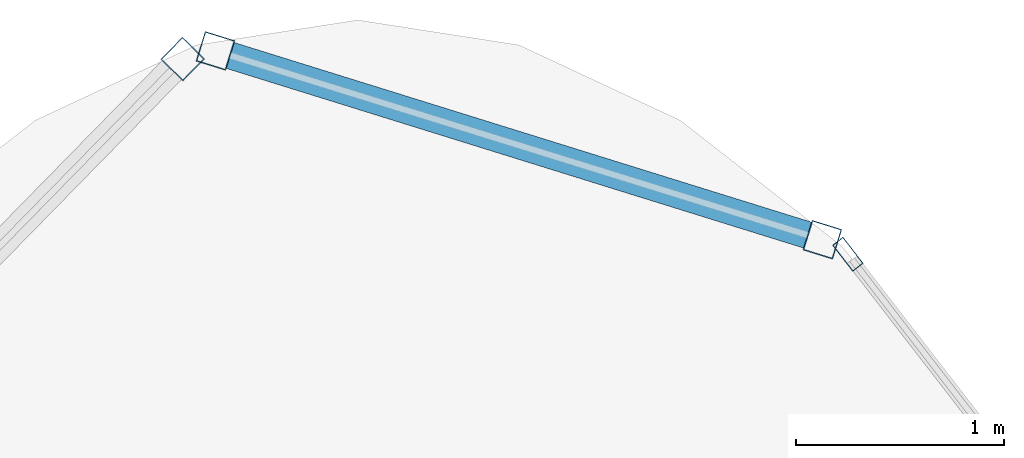
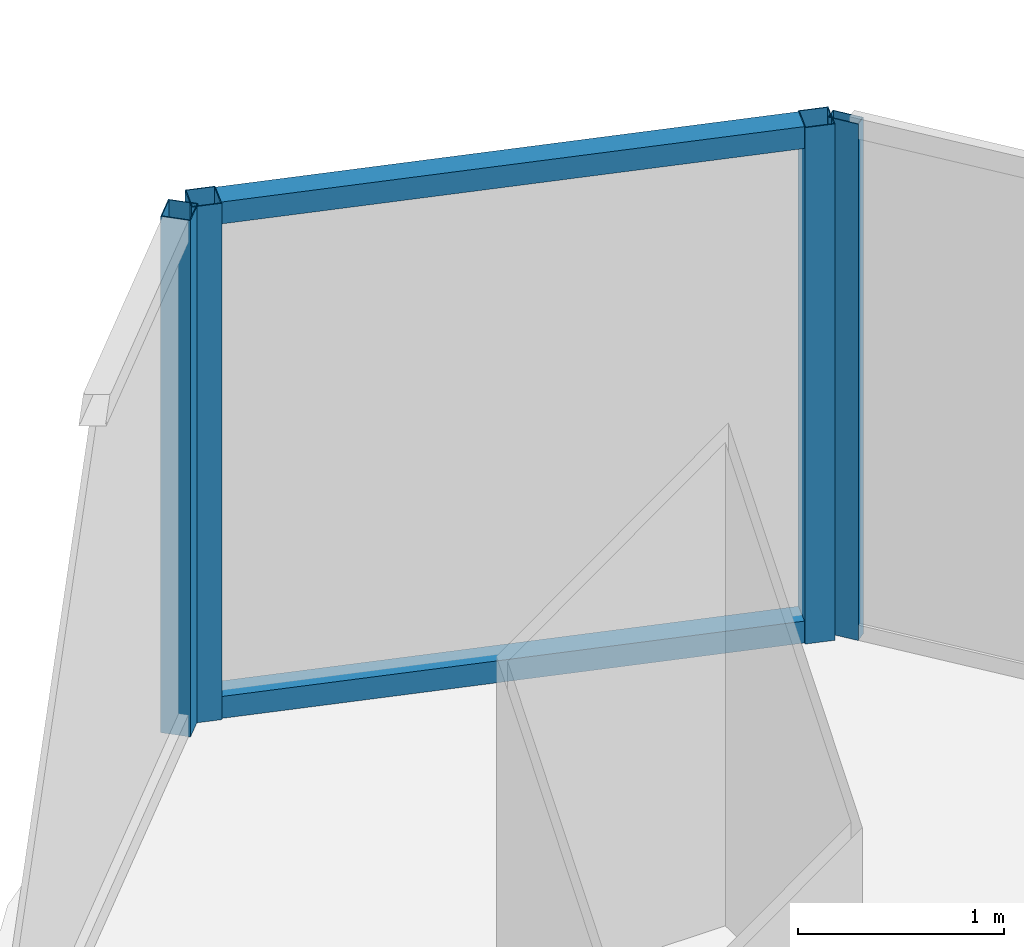
# One storey, part 23 of 29: 6 members, 3 elements without a shape of their own.
"""IFC4 building model written with IfcOpenShell, lengths in metres."""

from ifc_helpers import new_model, si_unit, direction, frame, origin, origin_2d, place, context, subcontext, project, spatial, hollow_rectangle, extrude, material, layer, layer_set, material_profile, profile_set, type_object, element, aggregate, save


model = new_model("IFC4")

# Units and contexts
model_context = context("Model", 3, precision=1e-05, world=origin(), true_north=direction((0.0, 1.0)))
body_context = subcontext(model_context, "Body", "Model", "MODEL_VIEW")
ifc_project = project(units=[si_unit("LENGTHUNIT", "METRE"), si_unit("AREAUNIT", "SQUARE_METRE"), si_unit("VOLUMEUNIT", "CUBIC_METRE"), si_unit("PLANEANGLEUNIT", "RADIAN"), si_unit("MASSUNIT", "GRAM", prefix="KILO")], contexts=[model_context])

# Site, building, storey
site_placement = place(None, origin())
site = spatial("IfcSite", under=ifc_project, at=site_placement, CompositionType="ELEMENT")
building_placement = place(site_placement, origin())
building = spatial("IfcBuilding", under=site, at=building_placement, Name="Orvanel Arch Residences", CompositionType="ELEMENT")
storey_placement = place(building_placement, frame((0.0, 0.0, 250.25)))
storey = spatial("IfcBuildingStorey", under=building, at=storey_placement, Name="L71", CompositionType="ELEMENT", Elevation=250.25)

# Curtain wall, members
ifc_material = material(Name="Bronze-anodised aluminium AA6063-T6", Category="aluminium")
ifc_layer_1 = layer(ifc_material, 0.18994140625)
ifc_layer_set_1 = layer_set([ifc_layer_1], Name="Bronze-anodised aluminium AA6063-T6")
curtain_wall_type_1 = type_object("IfcCurtainWallType", Name="CW5-CRN-SYS", PredefinedType="NOTDEFINED", material=ifc_layer_set_1)
curtain_wall_1_placement = place(storey_placement, origin())
curtain_wall_1 = element("IfcCurtainWall", 1, at=curtain_wall_1_placement, inside=storey, type_object=curtain_wall_type_1, Name="L71 CW5-CRN-SYS Unitised Curtain Wall", PredefinedType="NOTDEFINED")
ifc_material_profile_1 = material_profile(ifc_material, hollow_rectangle(XDim=0.14990234375, YDim=0.14990234375, WallThickness=0.0048828125, at=origin_2d()), Name="ALU150x150x5")
ifc_profile_set_1 = profile_set([ifc_material_profile_1], Name="Bronze-anodised aluminium AA6063-T6")
member_type_1 = type_object("IfcMemberType", Name="MUL-150x150", PredefinedType="MULLION", material=ifc_profile_set_1)
member_1_placement = place(storey_placement, frame((35.23046875, 43.92822265625, 0.0), z_axis=(0.0, 0.0, 1.0), x_axis=(-0.297047566696, -0.954862682861, 0.0)))
member_1 = element("IfcMember", 2, at=member_1_placement, type_object=member_type_1, Name="CW-S5 mullion 1", PredefinedType="MULLION", context=body_context, shape_type="SweptSolid", body=[
    extrude(hollow_rectangle(XDim=0.14990234375, YDim=0.14990234375, WallThickness=0.0048828125, at=origin_2d()), origin(), (0.0, 0.0, 1.0), 3.06005859375),
])
member_2_placement = place(storey_placement, frame((32.316650390625, 44.834716796875, 0.0), z_axis=(0.0, 0.0, 1.0), x_axis=(-0.297047566696, -0.954862682861, 0.0)))
member_2 = element("IfcMember", 3, at=member_2_placement, type_object=member_type_1, Name="CW-S5 mullion 2", PredefinedType="MULLION", context=body_context, shape_type="SweptSolid", body=[
    extrude(hollow_rectangle(XDim=0.14990234375, YDim=0.14990234375, WallThickness=0.0048828125, at=origin_2d()), origin(), (0.0, 0.0, 1.0), 3.06005859375),
])

# Curtain wall, member
curtain_wall_2_placement = place(storey_placement, origin())
curtain_wall_2 = element("IfcCurtainWall", 4, at=curtain_wall_2_placement, inside=storey, type_object=curtain_wall_type_1, Name="L71 CW5-CRN-SYS Unitised Curtain Wall", PredefinedType="NOTDEFINED")
member_3_placement = place(storey_placement, frame((32.159423828125, 44.79541015625, 0.0), z_axis=(0.0, 0.0, 1.0), x_axis=(0.714469105473, -0.699666990307, 0.0)))
member_3 = element("IfcMember", 5, at=member_3_placement, type_object=member_type_1, Name="CW-S5 mullion 1", PredefinedType="MULLION", context=body_context, shape_type="SweptSolid", body=[
    extrude(hollow_rectangle(XDim=0.14990234375, YDim=0.14990234375, WallThickness=0.0048828125, at=origin_2d()), origin(), (0.0, 0.0, 1.0), 3.06005859375),
])
aggregate(curtain_wall_2, [member_3])

ifc_layer_2 = layer(ifc_material, 0.175048828125)
ifc_layer_set_2 = layer_set([ifc_layer_2], Name="Bronze-anodised aluminium AA6063-T6")
curtain_wall_type_2 = type_object("IfcCurtainWallType", Name="CW4-HI-SYS", PredefinedType="NOTDEFINED", material=ifc_layer_set_2)
curtain_wall_3_placement = place(storey_placement, origin())
curtain_wall_3 = element("IfcCurtainWall", 6, at=curtain_wall_3_placement, inside=storey, type_object=curtain_wall_type_2, Name="L71 CW4-HI-SYS Unitised Curtain Wall", PredefinedType="NOTDEFINED")
ifc_material_profile_2 = material_profile(ifc_material, hollow_rectangle(XDim=0.06494140625, YDim=0.159912109375, WallThickness=0.00390625, at=origin_2d()), Name="ALU160x65x4")
ifc_profile_set_2 = profile_set([ifc_material_profile_2], Name="Bronze-anodised aluminium AA6063-T6")
member_type_2 = type_object("IfcMemberType", Name="MUL-160x65", PredefinedType="MULLION", material=ifc_profile_set_2)
member_4_placement = place(storey_placement, frame((35.352783203125, 43.8583984375, 0.0), z_axis=(0.0, 0.0, 1.0), x_axis=(-0.791336812136, -0.611380446006, 0.0)))
member_4 = element("IfcMember", 7, at=member_4_placement, type_object=member_type_2, Name="CW-S4 mullion 3", PredefinedType="MULLION", context=body_context, shape_type="SweptSolid", body=[
    extrude(hollow_rectangle(XDim=0.06494140625, YDim=0.159912109375, WallThickness=0.00390625, at=origin_2d()), origin(), (0.0, 0.0, 1.0), 3.06005859375),
])
aggregate(curtain_wall_3, [member_4])

# Member
ifc_material_profile_3 = material_profile(ifc_material, hollow_rectangle(XDim=0.1298828125, YDim=0.1298828125, WallThickness=0.00439453125, at=origin_2d()), Name="ALU130x130x4.5")
ifc_profile_set_3 = profile_set([ifc_material_profile_3], Name="Bronze-anodised aluminium AA6063-T6")
member_type_3 = type_object("IfcMemberType", Name="TRN-130x130", PredefinedType="USERDEFINED", material=ifc_profile_set_3)
member_5_placement = place(storey_placement, frame((35.15869140625, 43.950439453125, 0.06494140625), z_axis=(-0.954844576626, 0.297105763136, 0.0), x_axis=(-0.297105763136, -0.954844576626, 0.0)))
member_5 = element("IfcMember", 8, at=member_5_placement, type_object=member_type_3, Name="CW-S5 transom 1.1", ObjectType="TRANSOM", PredefinedType="USERDEFINED", context=body_context, shape_type="SweptSolid", body=[
    extrude(hollow_rectangle(XDim=0.1298828125, YDim=0.1298828125, WallThickness=0.00439453125, at=origin_2d()), origin(), (0.0, 0.0, 1.0), 2.901611328125),
])

member_6_placement = place(storey_placement, frame((35.15869140625, 43.950439453125, 2.9951171875), z_axis=(-0.954844576626, 0.297105763136, 0.0), x_axis=(-0.297105763136, -0.954844576626, 0.0)))
member_6 = element("IfcMember", 9, at=member_6_placement, type_object=member_type_3, Name="CW-S5 transom 1.2", ObjectType="TRANSOM", PredefinedType="USERDEFINED", context=body_context, shape_type="SweptSolid", body=[
    extrude(hollow_rectangle(XDim=0.1298828125, YDim=0.1298828125, WallThickness=0.00439453125, at=origin_2d()), origin(), (0.0, 0.0, 1.0), 2.901611328125),
])

aggregate(curtain_wall_1, [member_1, member_2, member_5, member_6])

save(model, "model.ifc")
